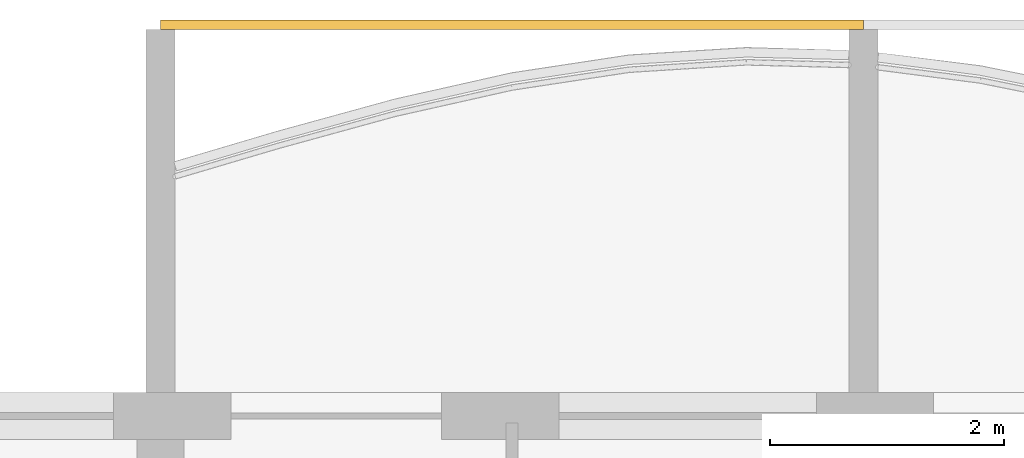
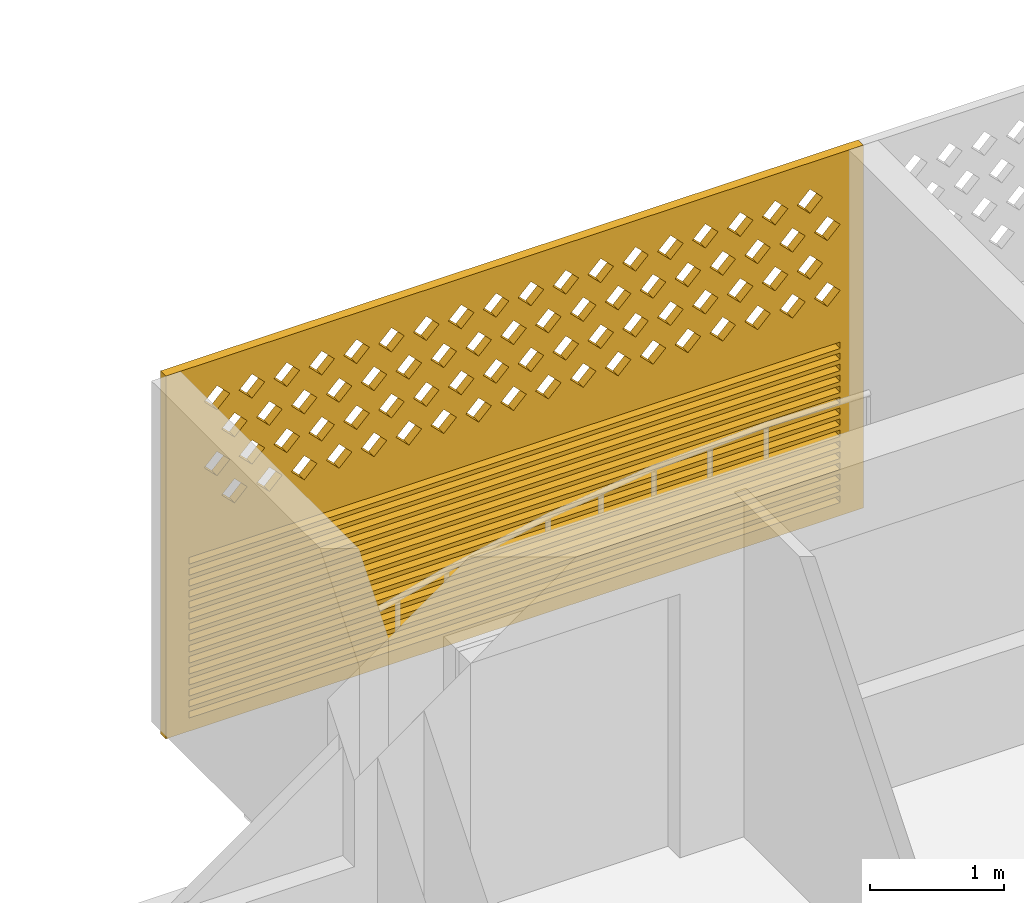
# One storey, part 26 of 39: 1 covering.
"""IFC4 building model written with IfcOpenShell, lengths in metres."""

from ifc_helpers import new_model, si_unit, direction, frame, origin, place, context, subcontext, project, spatial, polyline, outline, extrude, source, transform, mapped, material, material_profile, profile_set, type_object, element, save


model = new_model("IFC4")

# Units and contexts
model_context = context("Model", 3, precision=1e-05, world=origin(), true_north=direction((0.0, 1.0)))
body_context = subcontext(model_context, "Body", "Model", "MODEL_VIEW")
ifc_project = project(units=[si_unit("LENGTHUNIT", "METRE"), si_unit("AREAUNIT", "SQUARE_METRE"), si_unit("VOLUMEUNIT", "CUBIC_METRE"), si_unit("PLANEANGLEUNIT", "RADIAN"), si_unit("MASSUNIT", "GRAM", prefix="KILO")], contexts=[model_context])

# Site, building, storey
site_placement = place(None, origin())
site = spatial("IfcSite", under=ifc_project, at=site_placement, CompositionType="ELEMENT")
building_placement = place(site_placement, origin())
building = spatial("IfcBuilding", under=site, at=building_placement, Name="Poui Terraces", CompositionType="ELEMENT")
storey_placement = place(building_placement, frame((0.0, 0.0, 59.699951171875)))
storey = spatial("IfcBuildingStorey", under=building, at=storey_placement, Name="L16", CompositionType="ELEMENT", Elevation=59.699951171875)

# Covering
ifc_material = material(Name="Terracotta screen", Category="masonry")
ifc_material_profile = material_profile(ifc_material, outline(polyline([(-3.0, -1.64990234375), (3.0, -1.64990234375), (3.0, 1.64990234375), (-3.0, 1.64990234375), (-3.0, -1.64990234375)]), holes=[polyline([(-2.800048828125, 0.39990234375), (-2.68994140625, 0.2900390625), (-2.580078125, 0.39990234375), (-2.68994140625, 0.510009765625), (-2.800048828125, 0.39990234375)]), polyline([(-2.5, 0.39990234375), (-2.389892578125, 0.2900390625), (-2.280029296875, 0.39990234375), (-2.389892578125, 0.510009765625), (-2.5, 0.39990234375)]), polyline([(-2.199951171875, 0.39990234375), (-2.090087890625, 0.2900390625), (-1.97998046875, 0.39990234375), (-2.090087890625, 0.510009765625), (-2.199951171875, 0.39990234375)]), polyline([(-1.89990234375, 0.39990234375), (-1.7900390625, 0.2900390625), (-1.679931640625, 0.39990234375), (-1.7900390625, 0.510009765625), (-1.89990234375, 0.39990234375)]), polyline([(-1.60009765625, 0.39990234375), (-1.489990234375, 0.2900390625), (-1.3798828125, 0.39990234375), (-1.489990234375, 0.510009765625), (-1.60009765625, 0.39990234375)]), polyline([(-1.300048828125, 0.39990234375), (-1.18994140625, 0.2900390625), (-1.080078125, 0.39990234375), (-1.18994140625, 0.510009765625), (-1.300048828125, 0.39990234375)]), polyline([(-1.0, 0.39990234375), (-0.889892578125, 0.2900390625), (-0.780029296875, 0.39990234375), (-0.889892578125, 0.510009765625), (-1.0, 0.39990234375)]), polyline([(-0.699951171875, 0.39990234375), (-0.590087890625, 0.2900390625), (-0.47998046875, 0.39990234375), (-0.590087890625, 0.510009765625), (-0.699951171875, 0.39990234375)]), polyline([(-0.39990234375, 0.39990234375), (-0.2900390625, 0.2900390625), (-0.179931640625, 0.39990234375), (-0.2900390625, 0.510009765625), (-0.39990234375, 0.39990234375)]), polyline([(-0.10009765625, 0.39990234375), (0.010009765625, 0.2900390625), (0.1201171875, 0.39990234375), (0.010009765625, 0.510009765625), (-0.10009765625, 0.39990234375)]), polyline([(0.199951171875, 0.39990234375), (0.31005859375, 0.2900390625), (0.419921875, 0.39990234375), (0.31005859375, 0.510009765625), (0.199951171875, 0.39990234375)]), polyline([(0.5, 0.39990234375), (0.610107421875, 0.2900390625), (0.719970703125, 0.39990234375), (0.610107421875, 0.510009765625), (0.5, 0.39990234375)]), polyline([(0.800048828125, 0.39990234375), (0.909912109375, 0.2900390625), (1.02001953125, 0.39990234375), (0.909912109375, 0.510009765625), (0.800048828125, 0.39990234375)]), polyline([(1.10009765625, 0.39990234375), (1.2099609375, 0.2900390625), (1.320068359375, 0.39990234375), (1.2099609375, 0.510009765625), (1.10009765625, 0.39990234375)]), polyline([(1.39990234375, 0.39990234375), (1.510009765625, 0.2900390625), (1.6201171875, 0.39990234375), (1.510009765625, 0.510009765625), (1.39990234375, 0.39990234375)]), polyline([(1.699951171875, 0.39990234375), (1.81005859375, 0.2900390625), (1.919921875, 0.39990234375), (1.81005859375, 0.510009765625), (1.699951171875, 0.39990234375)]), polyline([(2.0, 0.39990234375), (2.110107421875, 0.2900390625), (2.219970703125, 0.39990234375), (2.110107421875, 0.510009765625), (2.0, 0.39990234375)]), polyline([(2.300048828125, 0.39990234375), (2.409912109375, 0.2900390625), (2.52001953125, 0.39990234375), (2.409912109375, 0.510009765625), (2.300048828125, 0.39990234375)]), polyline([(-2.64990234375, 0.699951171875), (-2.5400390625, 0.590087890625), (-2.429931640625, 0.699951171875), (-2.5400390625, 0.81005859375), (-2.64990234375, 0.699951171875)]), polyline([(-2.35009765625, 0.699951171875), (-2.239990234375, 0.590087890625), (-2.1298828125, 0.699951171875), (-2.239990234375, 0.81005859375), (-2.35009765625, 0.699951171875)]), polyline([(-2.050048828125, 0.699951171875), (-1.93994140625, 0.590087890625), (-1.830078125, 0.699951171875), (-1.93994140625, 0.81005859375), (-2.050048828125, 0.699951171875)]), polyline([(-1.75, 0.699951171875), (-1.639892578125, 0.590087890625), (-1.530029296875, 0.699951171875), (-1.639892578125, 0.81005859375), (-1.75, 0.699951171875)]), polyline([(-1.449951171875, 0.699951171875), (-1.340087890625, 0.590087890625), (-1.22998046875, 0.699951171875), (-1.340087890625, 0.81005859375), (-1.449951171875, 0.699951171875)]), polyline([(-1.14990234375, 0.699951171875), (-1.0400390625, 0.590087890625), (-0.929931640625, 0.699951171875), (-1.0400390625, 0.81005859375), (-1.14990234375, 0.699951171875)]), polyline([(-0.85009765625, 0.699951171875), (-0.739990234375, 0.590087890625), (-0.6298828125, 0.699951171875), (-0.739990234375, 0.81005859375), (-0.85009765625, 0.699951171875)]), polyline([(-0.550048828125, 0.699951171875), (-0.43994140625, 0.590087890625), (-0.330078125, 0.699951171875), (-0.43994140625, 0.81005859375), (-0.550048828125, 0.699951171875)]), polyline([(-0.25, 0.699951171875), (-0.139892578125, 0.590087890625), (-0.030029296875, 0.699951171875), (-0.139892578125, 0.81005859375), (-0.25, 0.699951171875)]), polyline([(0.050048828125, 0.699951171875), (0.159912109375, 0.590087890625), (0.27001953125, 0.699951171875), (0.159912109375, 0.81005859375), (0.050048828125, 0.699951171875)]), polyline([(0.35009765625, 0.699951171875), (0.4599609375, 0.590087890625), (0.570068359375, 0.699951171875), (0.4599609375, 0.81005859375), (0.35009765625, 0.699951171875)]), polyline([(0.64990234375, 0.699951171875), (0.760009765625, 0.590087890625), (0.8701171875, 0.699951171875), (0.760009765625, 0.81005859375), (0.64990234375, 0.699951171875)]), polyline([(0.949951171875, 0.699951171875), (1.06005859375, 0.590087890625), (1.169921875, 0.699951171875), (1.06005859375, 0.81005859375), (0.949951171875, 0.699951171875)]), polyline([(1.25, 0.699951171875), (1.360107421875, 0.590087890625), (1.469970703125, 0.699951171875), (1.360107421875, 0.81005859375), (1.25, 0.699951171875)]), polyline([(1.550048828125, 0.699951171875), (1.659912109375, 0.590087890625), (1.77001953125, 0.699951171875), (1.659912109375, 0.81005859375), (1.550048828125, 0.699951171875)]), polyline([(1.85009765625, 0.699951171875), (1.9599609375, 0.590087890625), (2.070068359375, 0.699951171875), (1.9599609375, 0.81005859375), (1.85009765625, 0.699951171875)]), polyline([(2.14990234375, 0.699951171875), (2.260009765625, 0.590087890625), (2.3701171875, 0.699951171875), (2.260009765625, 0.81005859375), (2.14990234375, 0.699951171875)]), polyline([(2.449951171875, 0.699951171875), (2.56005859375, 0.590087890625), (2.669921875, 0.699951171875), (2.56005859375, 0.81005859375), (2.449951171875, 0.699951171875)]), polyline([(-2.800048828125, 1.0), (-2.68994140625, 0.889892578125), (-2.580078125, 1.0), (-2.68994140625, 1.110107421875), (-2.800048828125, 1.0)]), polyline([(-2.5, 1.0), (-2.389892578125, 0.889892578125), (-2.280029296875, 1.0), (-2.389892578125, 1.110107421875), (-2.5, 1.0)]), polyline([(-2.199951171875, 1.0), (-2.090087890625, 0.889892578125), (-1.97998046875, 1.0), (-2.090087890625, 1.110107421875), (-2.199951171875, 1.0)]), polyline([(-1.89990234375, 1.0), (-1.7900390625, 0.889892578125), (-1.679931640625, 1.0), (-1.7900390625, 1.110107421875), (-1.89990234375, 1.0)]), polyline([(-1.60009765625, 1.0), (-1.489990234375, 0.889892578125), (-1.3798828125, 1.0), (-1.489990234375, 1.110107421875), (-1.60009765625, 1.0)]), polyline([(-1.300048828125, 1.0), (-1.18994140625, 0.889892578125), (-1.080078125, 1.0), (-1.18994140625, 1.110107421875), (-1.300048828125, 1.0)]), polyline([(-1.0, 1.0), (-0.889892578125, 0.889892578125), (-0.780029296875, 1.0), (-0.889892578125, 1.110107421875), (-1.0, 1.0)]), polyline([(-0.699951171875, 1.0), (-0.590087890625, 0.889892578125), (-0.47998046875, 1.0), (-0.590087890625, 1.110107421875), (-0.699951171875, 1.0)]), polyline([(-0.39990234375, 1.0), (-0.2900390625, 0.889892578125), (-0.179931640625, 1.0), (-0.2900390625, 1.110107421875), (-0.39990234375, 1.0)]), polyline([(-0.10009765625, 1.0), (0.010009765625, 0.889892578125), (0.1201171875, 1.0), (0.010009765625, 1.110107421875), (-0.10009765625, 1.0)]), polyline([(0.199951171875, 1.0), (0.31005859375, 0.889892578125), (0.419921875, 1.0), (0.31005859375, 1.110107421875), (0.199951171875, 1.0)]), polyline([(0.5, 1.0), (0.610107421875, 0.889892578125), (0.719970703125, 1.0), (0.610107421875, 1.110107421875), (0.5, 1.0)]), polyline([(0.800048828125, 1.0), (0.909912109375, 0.889892578125), (1.02001953125, 1.0), (0.909912109375, 1.110107421875), (0.800048828125, 1.0)]), polyline([(1.10009765625, 1.0), (1.2099609375, 0.889892578125), (1.320068359375, 1.0), (1.2099609375, 1.110107421875), (1.10009765625, 1.0)]), polyline([(1.39990234375, 1.0), (1.510009765625, 0.889892578125), (1.6201171875, 1.0), (1.510009765625, 1.110107421875), (1.39990234375, 1.0)]), polyline([(1.699951171875, 1.0), (1.81005859375, 0.889892578125), (1.919921875, 1.0), (1.81005859375, 1.110107421875), (1.699951171875, 1.0)]), polyline([(2.0, 1.0), (2.110107421875, 0.889892578125), (2.219970703125, 1.0), (2.110107421875, 1.110107421875), (2.0, 1.0)]), polyline([(2.300048828125, 1.0), (2.409912109375, 0.889892578125), (2.52001953125, 1.0), (2.409912109375, 1.110107421875), (2.300048828125, 1.0)]), polyline([(-2.64990234375, 1.300048828125), (-2.5400390625, 1.18994140625), (-2.429931640625, 1.300048828125), (-2.5400390625, 1.409912109375), (-2.64990234375, 1.300048828125)]), polyline([(-2.35009765625, 1.300048828125), (-2.239990234375, 1.18994140625), (-2.1298828125, 1.300048828125), (-2.239990234375, 1.409912109375), (-2.35009765625, 1.300048828125)]), polyline([(-2.050048828125, 1.300048828125), (-1.93994140625, 1.18994140625), (-1.830078125, 1.300048828125), (-1.93994140625, 1.409912109375), (-2.050048828125, 1.300048828125)]), polyline([(-1.75, 1.300048828125), (-1.639892578125, 1.18994140625), (-1.530029296875, 1.300048828125), (-1.639892578125, 1.409912109375), (-1.75, 1.300048828125)]), polyline([(-1.449951171875, 1.300048828125), (-1.340087890625, 1.18994140625), (-1.22998046875, 1.300048828125), (-1.340087890625, 1.409912109375), (-1.449951171875, 1.300048828125)]), polyline([(-1.14990234375, 1.300048828125), (-1.0400390625, 1.18994140625), (-0.929931640625, 1.300048828125), (-1.0400390625, 1.409912109375), (-1.14990234375, 1.300048828125)]), polyline([(-0.85009765625, 1.300048828125), (-0.739990234375, 1.18994140625), (-0.6298828125, 1.300048828125), (-0.739990234375, 1.409912109375), (-0.85009765625, 1.300048828125)]), polyline([(-0.550048828125, 1.300048828125), (-0.43994140625, 1.18994140625), (-0.330078125, 1.300048828125), (-0.43994140625, 1.409912109375), (-0.550048828125, 1.300048828125)]), polyline([(-0.25, 1.300048828125), (-0.139892578125, 1.18994140625), (-0.030029296875, 1.300048828125), (-0.139892578125, 1.409912109375), (-0.25, 1.300048828125)]), polyline([(0.050048828125, 1.300048828125), (0.159912109375, 1.18994140625), (0.27001953125, 1.300048828125), (0.159912109375, 1.409912109375), (0.050048828125, 1.300048828125)]), polyline([(0.35009765625, 1.300048828125), (0.4599609375, 1.18994140625), (0.570068359375, 1.300048828125), (0.4599609375, 1.409912109375), (0.35009765625, 1.300048828125)]), polyline([(0.64990234375, 1.300048828125), (0.760009765625, 1.18994140625), (0.8701171875, 1.300048828125), (0.760009765625, 1.409912109375), (0.64990234375, 1.300048828125)]), polyline([(0.949951171875, 1.300048828125), (1.06005859375, 1.18994140625), (1.169921875, 1.300048828125), (1.06005859375, 1.409912109375), (0.949951171875, 1.300048828125)]), polyline([(1.25, 1.300048828125), (1.360107421875, 1.18994140625), (1.469970703125, 1.300048828125), (1.360107421875, 1.409912109375), (1.25, 1.300048828125)]), polyline([(1.550048828125, 1.300048828125), (1.659912109375, 1.18994140625), (1.77001953125, 1.300048828125), (1.659912109375, 1.409912109375), (1.550048828125, 1.300048828125)]), polyline([(1.85009765625, 1.300048828125), (1.9599609375, 1.18994140625), (2.070068359375, 1.300048828125), (1.9599609375, 1.409912109375), (1.85009765625, 1.300048828125)]), polyline([(2.14990234375, 1.300048828125), (2.260009765625, 1.18994140625), (2.3701171875, 1.300048828125), (2.260009765625, 1.409912109375), (2.14990234375, 1.300048828125)]), polyline([(2.449951171875, 1.300048828125), (2.56005859375, 1.18994140625), (2.669921875, 1.300048828125), (2.56005859375, 1.409912109375), (2.449951171875, 1.300048828125)]), polyline([(-2.800048828125, -1.530029296875), (2.800048828125, -1.530029296875), (2.800048828125, -1.469970703125), (-2.800048828125, -1.469970703125), (-2.800048828125, -1.530029296875)]), polyline([(-2.800048828125, -1.429931640625), (2.800048828125, -1.429931640625), (2.800048828125, -1.3701171875), (-2.800048828125, -1.3701171875), (-2.800048828125, -1.429931640625)]), polyline([(-2.800048828125, -1.330078125), (2.800048828125, -1.330078125), (2.800048828125, -1.27001953125), (-2.800048828125, -1.27001953125), (-2.800048828125, -1.330078125)]), polyline([(-2.800048828125, -1.22998046875), (2.800048828125, -1.22998046875), (2.800048828125, -1.169921875), (-2.800048828125, -1.169921875), (-2.800048828125, -1.22998046875)]), polyline([(-2.800048828125, -1.1298828125), (2.800048828125, -1.1298828125), (2.800048828125, -1.070068359375), (-2.800048828125, -1.070068359375), (-2.800048828125, -1.1298828125)]), polyline([(-2.800048828125, -1.030029296875), (2.800048828125, -1.030029296875), (2.800048828125, -0.969970703125), (-2.800048828125, -0.969970703125), (-2.800048828125, -1.030029296875)]), polyline([(-2.800048828125, -0.929931640625), (2.800048828125, -0.929931640625), (2.800048828125, -0.8701171875), (-2.800048828125, -0.8701171875), (-2.800048828125, -0.929931640625)]), polyline([(-2.800048828125, -0.830078125), (2.800048828125, -0.830078125), (2.800048828125, -0.77001953125), (-2.800048828125, -0.77001953125), (-2.800048828125, -0.830078125)]), polyline([(-2.800048828125, -0.72998046875), (2.800048828125, -0.72998046875), (2.800048828125, -0.669921875), (-2.800048828125, -0.669921875), (-2.800048828125, -0.72998046875)]), polyline([(-2.800048828125, -0.6298828125), (2.800048828125, -0.6298828125), (2.800048828125, -0.570068359375), (-2.800048828125, -0.570068359375), (-2.800048828125, -0.6298828125)]), polyline([(-2.800048828125, -0.530029296875), (2.800048828125, -0.530029296875), (2.800048828125, -0.469970703125), (-2.800048828125, -0.469970703125), (-2.800048828125, -0.530029296875)]), polyline([(-2.800048828125, -0.429931640625), (2.800048828125, -0.429931640625), (2.800048828125, -0.3701171875), (-2.800048828125, -0.3701171875), (-2.800048828125, -0.429931640625)]), polyline([(-2.800048828125, -0.330078125), (2.800048828125, -0.330078125), (2.800048828125, -0.27001953125), (-2.800048828125, -0.27001953125), (-2.800048828125, -0.330078125)]), polyline([(-2.800048828125, -0.22998046875), (2.800048828125, -0.22998046875), (2.800048828125, -0.169921875), (-2.800048828125, -0.169921875), (-2.800048828125, -0.22998046875)]), polyline([(-2.800048828125, -0.1298828125), (2.800048828125, -0.1298828125), (2.800048828125, -0.070068359375), (-2.800048828125, -0.070068359375), (-2.800048828125, -0.1298828125)])]), Name="TERRACOTTA SCREEN AND JALOUSIE LOUVRE 6000X3300")
ifc_profile_set = profile_set([ifc_material_profile], Name="Terracotta screen")
covering_type = type_object("IfcCoveringType", Name="TERRACOTTA SCREEN AND JALOUSIE LOUVRE 6000X3300", PredefinedType="CLADDING", material=ifc_profile_set)
shared_shape = source(origin(), body_context, "Body", "SweptSolid", [
    extrude(outline(polyline([(-3.0, -1.64990234375), (3.0, -1.64990234375), (3.0, 1.64990234375), (-3.0, 1.64990234375), (-3.0, -1.64990234375)]), holes=[polyline([(-2.800048828125, 0.39990234375), (-2.68994140625, 0.2900390625), (-2.580078125, 0.39990234375), (-2.68994140625, 0.510009765625), (-2.800048828125, 0.39990234375)]), polyline([(-2.5, 0.39990234375), (-2.389892578125, 0.2900390625), (-2.280029296875, 0.39990234375), (-2.389892578125, 0.510009765625), (-2.5, 0.39990234375)]), polyline([(-2.199951171875, 0.39990234375), (-2.090087890625, 0.2900390625), (-1.97998046875, 0.39990234375), (-2.090087890625, 0.510009765625), (-2.199951171875, 0.39990234375)]), polyline([(-1.89990234375, 0.39990234375), (-1.7900390625, 0.2900390625), (-1.679931640625, 0.39990234375), (-1.7900390625, 0.510009765625), (-1.89990234375, 0.39990234375)]), polyline([(-1.60009765625, 0.39990234375), (-1.489990234375, 0.2900390625), (-1.3798828125, 0.39990234375), (-1.489990234375, 0.510009765625), (-1.60009765625, 0.39990234375)]), polyline([(-1.300048828125, 0.39990234375), (-1.18994140625, 0.2900390625), (-1.080078125, 0.39990234375), (-1.18994140625, 0.510009765625), (-1.300048828125, 0.39990234375)]), polyline([(-1.0, 0.39990234375), (-0.889892578125, 0.2900390625), (-0.780029296875, 0.39990234375), (-0.889892578125, 0.510009765625), (-1.0, 0.39990234375)]), polyline([(-0.699951171875, 0.39990234375), (-0.590087890625, 0.2900390625), (-0.47998046875, 0.39990234375), (-0.590087890625, 0.510009765625), (-0.699951171875, 0.39990234375)]), polyline([(-0.39990234375, 0.39990234375), (-0.2900390625, 0.2900390625), (-0.179931640625, 0.39990234375), (-0.2900390625, 0.510009765625), (-0.39990234375, 0.39990234375)]), polyline([(-0.10009765625, 0.39990234375), (0.010009765625, 0.2900390625), (0.1201171875, 0.39990234375), (0.010009765625, 0.510009765625), (-0.10009765625, 0.39990234375)]), polyline([(0.199951171875, 0.39990234375), (0.31005859375, 0.2900390625), (0.419921875, 0.39990234375), (0.31005859375, 0.510009765625), (0.199951171875, 0.39990234375)]), polyline([(0.5, 0.39990234375), (0.610107421875, 0.2900390625), (0.719970703125, 0.39990234375), (0.610107421875, 0.510009765625), (0.5, 0.39990234375)]), polyline([(0.800048828125, 0.39990234375), (0.909912109375, 0.2900390625), (1.02001953125, 0.39990234375), (0.909912109375, 0.510009765625), (0.800048828125, 0.39990234375)]), polyline([(1.10009765625, 0.39990234375), (1.2099609375, 0.2900390625), (1.320068359375, 0.39990234375), (1.2099609375, 0.510009765625), (1.10009765625, 0.39990234375)]), polyline([(1.39990234375, 0.39990234375), (1.510009765625, 0.2900390625), (1.6201171875, 0.39990234375), (1.510009765625, 0.510009765625), (1.39990234375, 0.39990234375)]), polyline([(1.699951171875, 0.39990234375), (1.81005859375, 0.2900390625), (1.919921875, 0.39990234375), (1.81005859375, 0.510009765625), (1.699951171875, 0.39990234375)]), polyline([(2.0, 0.39990234375), (2.110107421875, 0.2900390625), (2.219970703125, 0.39990234375), (2.110107421875, 0.510009765625), (2.0, 0.39990234375)]), polyline([(2.300048828125, 0.39990234375), (2.409912109375, 0.2900390625), (2.52001953125, 0.39990234375), (2.409912109375, 0.510009765625), (2.300048828125, 0.39990234375)]), polyline([(-2.64990234375, 0.699951171875), (-2.5400390625, 0.590087890625), (-2.429931640625, 0.699951171875), (-2.5400390625, 0.81005859375), (-2.64990234375, 0.699951171875)]), polyline([(-2.35009765625, 0.699951171875), (-2.239990234375, 0.590087890625), (-2.1298828125, 0.699951171875), (-2.239990234375, 0.81005859375), (-2.35009765625, 0.699951171875)]), polyline([(-2.050048828125, 0.699951171875), (-1.93994140625, 0.590087890625), (-1.830078125, 0.699951171875), (-1.93994140625, 0.81005859375), (-2.050048828125, 0.699951171875)]), polyline([(-1.75, 0.699951171875), (-1.639892578125, 0.590087890625), (-1.530029296875, 0.699951171875), (-1.639892578125, 0.81005859375), (-1.75, 0.699951171875)]), polyline([(-1.449951171875, 0.699951171875), (-1.340087890625, 0.590087890625), (-1.22998046875, 0.699951171875), (-1.340087890625, 0.81005859375), (-1.449951171875, 0.699951171875)]), polyline([(-1.14990234375, 0.699951171875), (-1.0400390625, 0.590087890625), (-0.929931640625, 0.699951171875), (-1.0400390625, 0.81005859375), (-1.14990234375, 0.699951171875)]), polyline([(-0.85009765625, 0.699951171875), (-0.739990234375, 0.590087890625), (-0.6298828125, 0.699951171875), (-0.739990234375, 0.81005859375), (-0.85009765625, 0.699951171875)]), polyline([(-0.550048828125, 0.699951171875), (-0.43994140625, 0.590087890625), (-0.330078125, 0.699951171875), (-0.43994140625, 0.81005859375), (-0.550048828125, 0.699951171875)]), polyline([(-0.25, 0.699951171875), (-0.139892578125, 0.590087890625), (-0.030029296875, 0.699951171875), (-0.139892578125, 0.81005859375), (-0.25, 0.699951171875)]), polyline([(0.050048828125, 0.699951171875), (0.159912109375, 0.590087890625), (0.27001953125, 0.699951171875), (0.159912109375, 0.81005859375), (0.050048828125, 0.699951171875)]), polyline([(0.35009765625, 0.699951171875), (0.4599609375, 0.590087890625), (0.570068359375, 0.699951171875), (0.4599609375, 0.81005859375), (0.35009765625, 0.699951171875)]), polyline([(0.64990234375, 0.699951171875), (0.760009765625, 0.590087890625), (0.8701171875, 0.699951171875), (0.760009765625, 0.81005859375), (0.64990234375, 0.699951171875)]), polyline([(0.949951171875, 0.699951171875), (1.06005859375, 0.590087890625), (1.169921875, 0.699951171875), (1.06005859375, 0.81005859375), (0.949951171875, 0.699951171875)]), polyline([(1.25, 0.699951171875), (1.360107421875, 0.590087890625), (1.469970703125, 0.699951171875), (1.360107421875, 0.81005859375), (1.25, 0.699951171875)]), polyline([(1.550048828125, 0.699951171875), (1.659912109375, 0.590087890625), (1.77001953125, 0.699951171875), (1.659912109375, 0.81005859375), (1.550048828125, 0.699951171875)]), polyline([(1.85009765625, 0.699951171875), (1.9599609375, 0.590087890625), (2.070068359375, 0.699951171875), (1.9599609375, 0.81005859375), (1.85009765625, 0.699951171875)]), polyline([(2.14990234375, 0.699951171875), (2.260009765625, 0.590087890625), (2.3701171875, 0.699951171875), (2.260009765625, 0.81005859375), (2.14990234375, 0.699951171875)]), polyline([(2.449951171875, 0.699951171875), (2.56005859375, 0.590087890625), (2.669921875, 0.699951171875), (2.56005859375, 0.81005859375), (2.449951171875, 0.699951171875)]), polyline([(-2.800048828125, 1.0), (-2.68994140625, 0.889892578125), (-2.580078125, 1.0), (-2.68994140625, 1.110107421875), (-2.800048828125, 1.0)]), polyline([(-2.5, 1.0), (-2.389892578125, 0.889892578125), (-2.280029296875, 1.0), (-2.389892578125, 1.110107421875), (-2.5, 1.0)]), polyline([(-2.199951171875, 1.0), (-2.090087890625, 0.889892578125), (-1.97998046875, 1.0), (-2.090087890625, 1.110107421875), (-2.199951171875, 1.0)]), polyline([(-1.89990234375, 1.0), (-1.7900390625, 0.889892578125), (-1.679931640625, 1.0), (-1.7900390625, 1.110107421875), (-1.89990234375, 1.0)]), polyline([(-1.60009765625, 1.0), (-1.489990234375, 0.889892578125), (-1.3798828125, 1.0), (-1.489990234375, 1.110107421875), (-1.60009765625, 1.0)]), polyline([(-1.300048828125, 1.0), (-1.18994140625, 0.889892578125), (-1.080078125, 1.0), (-1.18994140625, 1.110107421875), (-1.300048828125, 1.0)]), polyline([(-1.0, 1.0), (-0.889892578125, 0.889892578125), (-0.780029296875, 1.0), (-0.889892578125, 1.110107421875), (-1.0, 1.0)]), polyline([(-0.699951171875, 1.0), (-0.590087890625, 0.889892578125), (-0.47998046875, 1.0), (-0.590087890625, 1.110107421875), (-0.699951171875, 1.0)]), polyline([(-0.39990234375, 1.0), (-0.2900390625, 0.889892578125), (-0.179931640625, 1.0), (-0.2900390625, 1.110107421875), (-0.39990234375, 1.0)]), polyline([(-0.10009765625, 1.0), (0.010009765625, 0.889892578125), (0.1201171875, 1.0), (0.010009765625, 1.110107421875), (-0.10009765625, 1.0)]), polyline([(0.199951171875, 1.0), (0.31005859375, 0.889892578125), (0.419921875, 1.0), (0.31005859375, 1.110107421875), (0.199951171875, 1.0)]), polyline([(0.5, 1.0), (0.610107421875, 0.889892578125), (0.719970703125, 1.0), (0.610107421875, 1.110107421875), (0.5, 1.0)]), polyline([(0.800048828125, 1.0), (0.909912109375, 0.889892578125), (1.02001953125, 1.0), (0.909912109375, 1.110107421875), (0.800048828125, 1.0)]), polyline([(1.10009765625, 1.0), (1.2099609375, 0.889892578125), (1.320068359375, 1.0), (1.2099609375, 1.110107421875), (1.10009765625, 1.0)]), polyline([(1.39990234375, 1.0), (1.510009765625, 0.889892578125), (1.6201171875, 1.0), (1.510009765625, 1.110107421875), (1.39990234375, 1.0)]), polyline([(1.699951171875, 1.0), (1.81005859375, 0.889892578125), (1.919921875, 1.0), (1.81005859375, 1.110107421875), (1.699951171875, 1.0)]), polyline([(2.0, 1.0), (2.110107421875, 0.889892578125), (2.219970703125, 1.0), (2.110107421875, 1.110107421875), (2.0, 1.0)]), polyline([(2.300048828125, 1.0), (2.409912109375, 0.889892578125), (2.52001953125, 1.0), (2.409912109375, 1.110107421875), (2.300048828125, 1.0)]), polyline([(-2.64990234375, 1.300048828125), (-2.5400390625, 1.18994140625), (-2.429931640625, 1.300048828125), (-2.5400390625, 1.409912109375), (-2.64990234375, 1.300048828125)]), polyline([(-2.35009765625, 1.300048828125), (-2.239990234375, 1.18994140625), (-2.1298828125, 1.300048828125), (-2.239990234375, 1.409912109375), (-2.35009765625, 1.300048828125)]), polyline([(-2.050048828125, 1.300048828125), (-1.93994140625, 1.18994140625), (-1.830078125, 1.300048828125), (-1.93994140625, 1.409912109375), (-2.050048828125, 1.300048828125)]), polyline([(-1.75, 1.300048828125), (-1.639892578125, 1.18994140625), (-1.530029296875, 1.300048828125), (-1.639892578125, 1.409912109375), (-1.75, 1.300048828125)]), polyline([(-1.449951171875, 1.300048828125), (-1.340087890625, 1.18994140625), (-1.22998046875, 1.300048828125), (-1.340087890625, 1.409912109375), (-1.449951171875, 1.300048828125)]), polyline([(-1.14990234375, 1.300048828125), (-1.0400390625, 1.18994140625), (-0.929931640625, 1.300048828125), (-1.0400390625, 1.409912109375), (-1.14990234375, 1.300048828125)]), polyline([(-0.85009765625, 1.300048828125), (-0.739990234375, 1.18994140625), (-0.6298828125, 1.300048828125), (-0.739990234375, 1.409912109375), (-0.85009765625, 1.300048828125)]), polyline([(-0.550048828125, 1.300048828125), (-0.43994140625, 1.18994140625), (-0.330078125, 1.300048828125), (-0.43994140625, 1.409912109375), (-0.550048828125, 1.300048828125)]), polyline([(-0.25, 1.300048828125), (-0.139892578125, 1.18994140625), (-0.030029296875, 1.300048828125), (-0.139892578125, 1.409912109375), (-0.25, 1.300048828125)]), polyline([(0.050048828125, 1.300048828125), (0.159912109375, 1.18994140625), (0.27001953125, 1.300048828125), (0.159912109375, 1.409912109375), (0.050048828125, 1.300048828125)]), polyline([(0.35009765625, 1.300048828125), (0.4599609375, 1.18994140625), (0.570068359375, 1.300048828125), (0.4599609375, 1.409912109375), (0.35009765625, 1.300048828125)]), polyline([(0.64990234375, 1.300048828125), (0.760009765625, 1.18994140625), (0.8701171875, 1.300048828125), (0.760009765625, 1.409912109375), (0.64990234375, 1.300048828125)]), polyline([(0.949951171875, 1.300048828125), (1.06005859375, 1.18994140625), (1.169921875, 1.300048828125), (1.06005859375, 1.409912109375), (0.949951171875, 1.300048828125)]), polyline([(1.25, 1.300048828125), (1.360107421875, 1.18994140625), (1.469970703125, 1.300048828125), (1.360107421875, 1.409912109375), (1.25, 1.300048828125)]), polyline([(1.550048828125, 1.300048828125), (1.659912109375, 1.18994140625), (1.77001953125, 1.300048828125), (1.659912109375, 1.409912109375), (1.550048828125, 1.300048828125)]), polyline([(1.85009765625, 1.300048828125), (1.9599609375, 1.18994140625), (2.070068359375, 1.300048828125), (1.9599609375, 1.409912109375), (1.85009765625, 1.300048828125)]), polyline([(2.14990234375, 1.300048828125), (2.260009765625, 1.18994140625), (2.3701171875, 1.300048828125), (2.260009765625, 1.409912109375), (2.14990234375, 1.300048828125)]), polyline([(2.449951171875, 1.300048828125), (2.56005859375, 1.18994140625), (2.669921875, 1.300048828125), (2.56005859375, 1.409912109375), (2.449951171875, 1.300048828125)]), polyline([(-2.800048828125, -1.530029296875), (2.800048828125, -1.530029296875), (2.800048828125, -1.469970703125), (-2.800048828125, -1.469970703125), (-2.800048828125, -1.530029296875)]), polyline([(-2.800048828125, -1.429931640625), (2.800048828125, -1.429931640625), (2.800048828125, -1.3701171875), (-2.800048828125, -1.3701171875), (-2.800048828125, -1.429931640625)]), polyline([(-2.800048828125, -1.330078125), (2.800048828125, -1.330078125), (2.800048828125, -1.27001953125), (-2.800048828125, -1.27001953125), (-2.800048828125, -1.330078125)]), polyline([(-2.800048828125, -1.22998046875), (2.800048828125, -1.22998046875), (2.800048828125, -1.169921875), (-2.800048828125, -1.169921875), (-2.800048828125, -1.22998046875)]), polyline([(-2.800048828125, -1.1298828125), (2.800048828125, -1.1298828125), (2.800048828125, -1.070068359375), (-2.800048828125, -1.070068359375), (-2.800048828125, -1.1298828125)]), polyline([(-2.800048828125, -1.030029296875), (2.800048828125, -1.030029296875), (2.800048828125, -0.969970703125), (-2.800048828125, -0.969970703125), (-2.800048828125, -1.030029296875)]), polyline([(-2.800048828125, -0.929931640625), (2.800048828125, -0.929931640625), (2.800048828125, -0.8701171875), (-2.800048828125, -0.8701171875), (-2.800048828125, -0.929931640625)]), polyline([(-2.800048828125, -0.830078125), (2.800048828125, -0.830078125), (2.800048828125, -0.77001953125), (-2.800048828125, -0.77001953125), (-2.800048828125, -0.830078125)]), polyline([(-2.800048828125, -0.72998046875), (2.800048828125, -0.72998046875), (2.800048828125, -0.669921875), (-2.800048828125, -0.669921875), (-2.800048828125, -0.72998046875)]), polyline([(-2.800048828125, -0.6298828125), (2.800048828125, -0.6298828125), (2.800048828125, -0.570068359375), (-2.800048828125, -0.570068359375), (-2.800048828125, -0.6298828125)]), polyline([(-2.800048828125, -0.530029296875), (2.800048828125, -0.530029296875), (2.800048828125, -0.469970703125), (-2.800048828125, -0.469970703125), (-2.800048828125, -0.530029296875)]), polyline([(-2.800048828125, -0.429931640625), (2.800048828125, -0.429931640625), (2.800048828125, -0.3701171875), (-2.800048828125, -0.3701171875), (-2.800048828125, -0.429931640625)]), polyline([(-2.800048828125, -0.330078125), (2.800048828125, -0.330078125), (2.800048828125, -0.27001953125), (-2.800048828125, -0.27001953125), (-2.800048828125, -0.330078125)]), polyline([(-2.800048828125, -0.22998046875), (2.800048828125, -0.22998046875), (2.800048828125, -0.169921875), (-2.800048828125, -0.169921875), (-2.800048828125, -0.22998046875)]), polyline([(-2.800048828125, -0.1298828125), (2.800048828125, -0.1298828125), (2.800048828125, -0.070068359375), (-2.800048828125, -0.070068359375), (-2.800048828125, -0.1298828125)])]), origin(), (0.0, 0.0, 1.0), 0.079833984375),
])
covering_placement = place(storey_placement, frame((39.0, 48.10009765625, 1.449951171875), z_axis=(0.0, 1.0, 0.0), x_axis=(-1.0, 0.0, 0.0)))
element("IfcCovering", 1, at=covering_placement, inside=storey, type_object=covering_type, Name="SOLAR SCREEN AND JALOUSIE LOUVRE", PredefinedType="CLADDING", context=body_context, shape_type="MappedRepresentation", body=[
    mapped(shared_shape, transform((0.0, 0.0, 0.0))),
])

save(model, "model.ifc")
